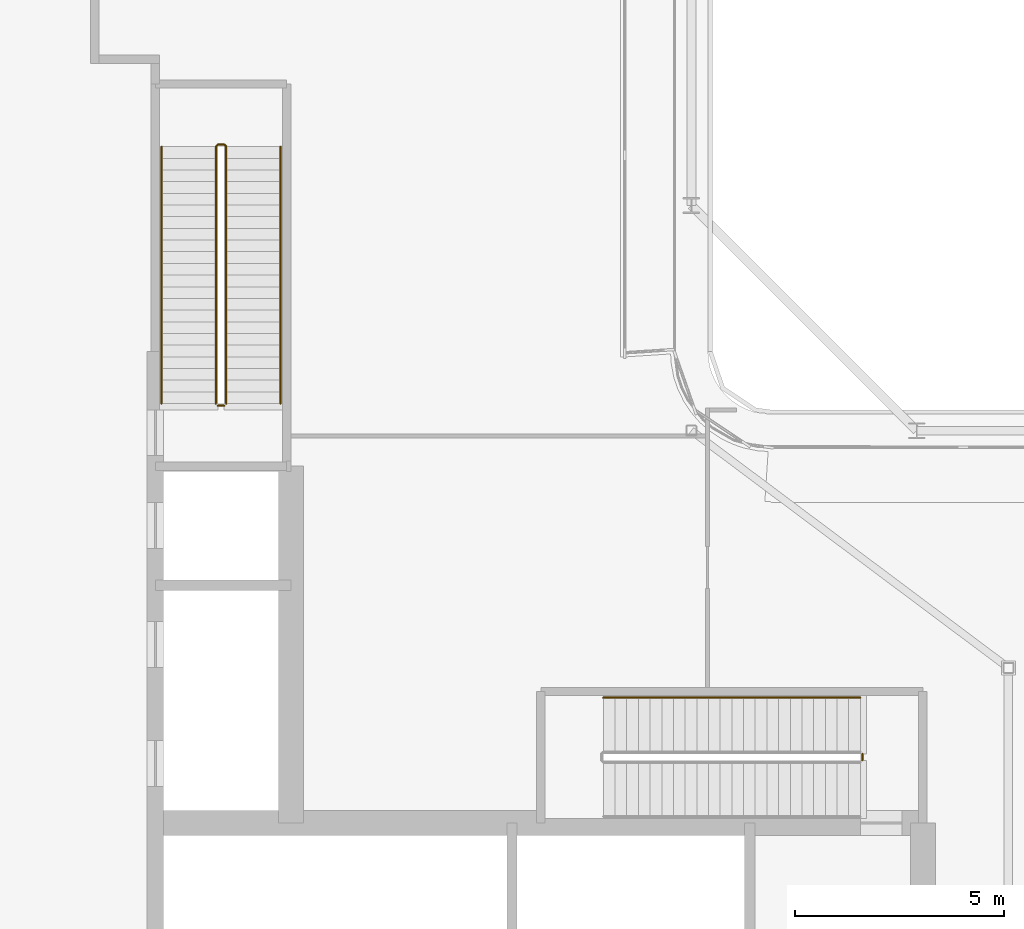
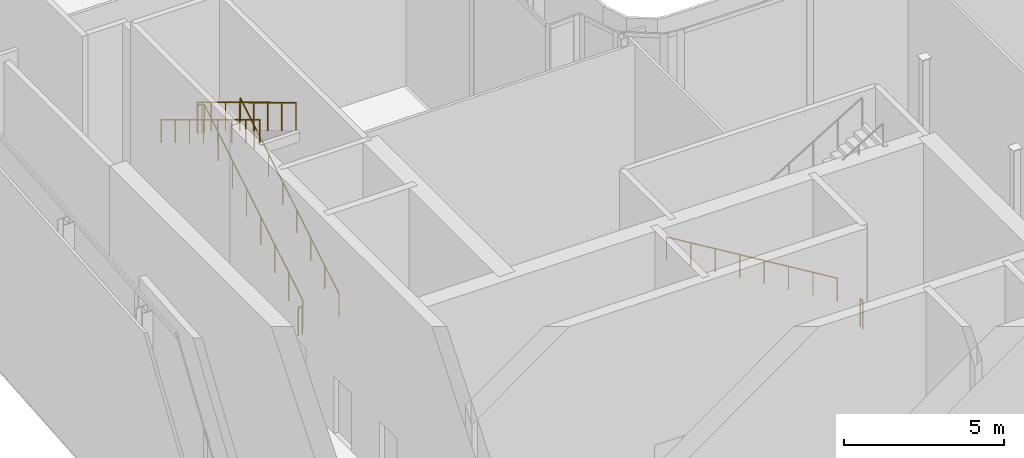
# One storey, part 26 of 28: 6 railings.
"""IFC4 building model written with IfcOpenShell, lengths in metres."""

from ifc_helpers import new_model, si_unit, direction, frame, origin, origin_2d, place, context, subcontext, project, spatial, circle, extrude, material, type_object, element, save


model = new_model("IFC4")

# Units and contexts
model_context = context("Model", 3, precision=1e-05, world=origin(), true_north=direction((0.0, 1.0)))
body_context = subcontext(model_context, "Body", "Model", "MODEL_VIEW")
ifc_project = project(units=[si_unit("LENGTHUNIT", "METRE"), si_unit("AREAUNIT", "SQUARE_METRE"), si_unit("VOLUMEUNIT", "CUBIC_METRE"), si_unit("PLANEANGLEUNIT", "RADIAN"), si_unit("MASSUNIT", "GRAM", prefix="KILO")], contexts=[model_context])

# Site, building, storey
site_placement = place(None, origin())
site = spatial("IfcSite", under=ifc_project, at=site_placement, CompositionType="ELEMENT")
building_placement = place(site_placement, origin())
building = spatial("IfcBuilding", under=site, at=building_placement, Name="Kheshtan School and Residences Tower", CompositionType="ELEMENT")
storey_placement = place(building_placement, frame((0.0, 0.0, 325.39990234375)))
storey = spatial("IfcBuildingStorey", under=building, at=storey_placement, Name="L77", CompositionType="ELEMENT", Elevation=325.39990234375)

# Railings
ifc_material_1 = material(Name="Stainless steel balustrade", Category="steel")
railing_type_1 = type_object("IfcRailingType", Name="Stair guard 1100", PredefinedType="GUARDRAIL", material=ifc_material_1)
railing_1_placement = place(storey_placement, frame((51.699951171875, 37.85009765625, 0.0)))
element("IfcRailing", 1, at=railing_1_placement, inside=storey, type_object=railing_type_1, Name="L77 ST1 stair guard 2", PredefinedType="GUARDRAIL", context=body_context, shape_type="SweptSolid", body=[
    extrude(circle(Radius=0.02392578125, at=origin_2d()), frame((0.0, 0.0, 1.076171875), z_axis=(0.0, -1.0, 0.0), x_axis=(1.0, 0.0, 0.0)), (0.0, 0.0, 1.0), 0.150146484375),
    extrude(circle(Radius=0.02099609375, at=origin_2d()), origin(), (0.0, 0.0, 1.0), 1.052001953125),
    extrude(circle(Radius=0.02099609375, at=origin_2d()), frame((0.0, -0.150146484375, 0.0)), (0.0, 0.0, 1.0), 1.052001953125),
])
railing_2_placement = place(storey_placement, frame((36.449951171875, 46.25, 0.169677734375)))
element("IfcRailing", 2, at=railing_2_placement, inside=storey, type_object=railing_type_1, Name="L77 ST2 stair guard 1", PredefinedType="GUARDRAIL", context=body_context, shape_type="SweptSolid", body=[
    extrude(circle(Radius=0.02392578125, at=origin_2d()), frame((0.0, 0.0, 1.076171875), z_axis=(0.0, 0.855370820849, 0.518016176234), x_axis=(-1.0, 0.0, 0.0)), (0.0, 0.0, 1.0), 7.201416015625),
    extrude(circle(Radius=0.02392578125, at=origin_2d()), frame((0.0, 6.159912109375, 4.806640625), z_axis=(-0.707106781187, 0.707106781187, 0.0), x_axis=(-0.707106781187, -0.707106781187, 0.0)), (0.0, 0.0, 1.0), 0.07080078125),
    extrude(circle(Radius=0.02392578125, at=origin_2d()), frame((-0.050048828125, 6.2099609375, 4.806640625), z_axis=(-1.0, 0.0, 0.0), x_axis=(0.0, -1.0, 0.0)), (0.0, 0.0, 1.0), 0.14990234375),
    extrude(circle(Radius=0.02392578125, at=origin_2d()), frame((-0.199951171875, 6.2099609375, 4.806640625), z_axis=(-0.272562526181, -0.272562526181, 0.92272386912), x_axis=(0.707106781187, -0.707106781187, 0.0)), (0.0, 0.0, 1.0), 0.18359375),
    extrude(circle(Radius=0.02392578125, at=origin_2d()), frame((-0.25, 6.159912109375, 4.97607421875), z_axis=(0.0, -0.855370820849, 0.518016176234), x_axis=(1.0, 0.0, 0.0)), (0.0, 0.0, 1.0), 7.201416015625),
    extrude(circle(Radius=0.02099609375, at=origin_2d()), origin(), (0.0, 0.0, 1.0), 1.052001953125),
    extrude(circle(Radius=0.02099609375, at=origin_2d()), frame((0.0, 0.8798828125, 0.532958984375)), (0.0, 0.0, 1.0), 1.052001953125),
    extrude(circle(Radius=0.02099609375, at=origin_2d()), frame((0.0, 1.760009765625, 1.06591796875)), (0.0, 0.0, 1.0), 1.052001953125),
    extrude(circle(Radius=0.02099609375, at=origin_2d()), frame((0.0, 2.639892578125, 1.598876953125)), (0.0, 0.0, 1.0), 1.052001953125),
    extrude(circle(Radius=0.02099609375, at=origin_2d()), frame((0.0, 3.52001953125, 2.131591796875)), (0.0, 0.0, 1.0), 1.052001953125),
    extrude(circle(Radius=0.02099609375, at=origin_2d()), frame((0.0, 4.39990234375, 2.66455078125)), (0.0, 0.0, 1.0), 1.052001953125),
    extrude(circle(Radius=0.02099609375, at=origin_2d()), frame((0.0, 5.280029296875, 3.197509765625)), (0.0, 0.0, 1.0), 1.052001953125),
    extrude(circle(Radius=0.02099609375, at=origin_2d()), frame((0.0, 6.159912109375, 3.73046875)), (0.0, 0.0, 1.0), 1.052001953125),
    extrude(circle(Radius=0.02099609375, at=origin_2d()), frame((-0.050048828125, 6.2099609375, 3.73046875)), (0.0, 0.0, 1.0), 1.052001953125),
    extrude(circle(Radius=0.02099609375, at=origin_2d()), frame((-0.199951171875, 6.2099609375, 3.73046875)), (0.0, 0.0, 1.0), 1.052001953125),
    extrude(circle(Radius=0.02099609375, at=origin_2d()), frame((-0.25, 6.159912109375, 3.89990234375)), (0.0, 0.0, 1.0), 1.052001953125),
    extrude(circle(Radius=0.02099609375, at=origin_2d()), frame((-0.25, 5.280029296875, 4.432861328125)), (0.0, 0.0, 1.0), 1.052001953125),
    extrude(circle(Radius=0.02099609375, at=origin_2d()), frame((-0.25, 4.39990234375, 4.9658203125)), (0.0, 0.0, 1.0), 1.052001953125),
    extrude(circle(Radius=0.02099609375, at=origin_2d()), frame((-0.25, 3.52001953125, 5.498779296875)), (0.0, 0.0, 1.0), 1.052001953125),
    extrude(circle(Radius=0.02099609375, at=origin_2d()), frame((-0.25, 2.639892578125, 6.031494140625)), (0.0, 0.0, 1.0), 1.052001953125),
    extrude(circle(Radius=0.02099609375, at=origin_2d()), frame((-0.25, 1.760009765625, 6.564453125)), (0.0, 0.0, 1.0), 1.052001953125),
    extrude(circle(Radius=0.02099609375, at=origin_2d()), frame((-0.25, 0.8798828125, 7.097412109375)), (0.0, 0.0, 1.0), 1.052001953125),
    extrude(circle(Radius=0.02099609375, at=origin_2d()), frame((-0.25, 0.0, 7.63037109375)), (0.0, 0.0, 1.0), 1.052001953125),
])
railing_3_placement = place(storey_placement, frame((36.39990234375, 46.199951171875, 0.0)))
element("IfcRailing", 3, at=railing_3_placement, inside=storey, type_object=railing_type_1, Name="L77 ST2 stair guard 2", PredefinedType="GUARDRAIL", context=body_context, shape_type="SweptSolid", body=[
    extrude(circle(Radius=0.02392578125, at=origin_2d()), frame((0.0, 0.0, 1.076171875), z_axis=(-1.0, 0.0, 0.0), x_axis=(0.0, -1.0, 0.0)), (0.0, 0.0, 1.0), 0.14990234375),
    extrude(circle(Radius=0.02099609375, at=origin_2d()), origin(), (0.0, 0.0, 1.0), 1.052001953125),
    extrude(circle(Radius=0.02099609375, at=origin_2d()), frame((-0.14990234375, 0.0, 0.0)), (0.0, 0.0, 1.0), 1.052001953125),
])
ifc_material_2 = material(Name="Stainless steel handrail", Category="steel")
railing_type_2 = type_object("IfcRailingType", Name="Stair handrail 900", PredefinedType="HANDRAIL", material=ifc_material_2)
railing_4_placement = place(storey_placement, frame((51.64990234375, 39.199951171875, 0.169677734375)))
element("IfcRailing", 4, at=railing_4_placement, inside=storey, type_object=railing_type_2, Name="L77 ST1 stair handrail 1", PredefinedType="HANDRAIL", context=body_context, shape_type="SweptSolid", body=[
    extrude(circle(Radius=0.02392578125, at=origin_2d()), frame((0.0, 0.0, 0.8759765625), z_axis=(-0.855370820849, 0.0, 0.518016176234), x_axis=(0.0, -1.0, 0.0)), (0.0, 0.0, 1.0), 7.201416015625),
    extrude(circle(Radius=0.02099609375, at=origin_2d()), origin(), (0.0, 0.0, 1.0), 0.851806640625),
    extrude(circle(Radius=0.02099609375, at=origin_2d()), frame((-0.8798828125, 0.0, 0.532958984375)), (0.0, 0.0, 1.0), 0.851806640625),
    extrude(circle(Radius=0.02099609375, at=origin_2d()), frame((-1.760009765625, 0.0, 1.06591796875)), (0.0, 0.0, 1.0), 0.851806640625),
    extrude(circle(Radius=0.02099609375, at=origin_2d()), frame((-2.639892578125, 0.0, 1.598876953125)), (0.0, 0.0, 1.0), 0.851806640625),
    extrude(circle(Radius=0.02099609375, at=origin_2d()), frame((-3.52001953125, 0.0, 2.131591796875)), (0.0, 0.0, 1.0), 0.851806640625),
    extrude(circle(Radius=0.02099609375, at=origin_2d()), frame((-4.39990234375, 0.0, 2.66455078125)), (0.0, 0.0, 1.0), 0.851806640625),
    extrude(circle(Radius=0.02099609375, at=origin_2d()), frame((-5.280029296875, 0.0, 3.197509765625)), (0.0, 0.0, 1.0), 0.851806640625),
    extrude(circle(Radius=0.02099609375, at=origin_2d()), frame((-6.159912109375, 0.0, 3.73046875)), (0.0, 0.0, 1.0), 0.851806640625),
])
railing_5_placement = place(storey_placement, frame((37.75, 46.25, 0.169677734375)))
element("IfcRailing", 5, at=railing_5_placement, inside=storey, type_object=railing_type_2, Name="L77 ST2 stair handrail 1", PredefinedType="HANDRAIL", context=body_context, shape_type="SweptSolid", body=[
    extrude(circle(Radius=0.02392578125, at=origin_2d()), frame((0.0, 0.0, 0.8759765625), z_axis=(0.0, 0.855370820849, 0.518016176234), x_axis=(-1.0, 0.0, 0.0)), (0.0, 0.0, 1.0), 7.201416015625),
    extrude(circle(Radius=0.02099609375, at=origin_2d()), origin(), (0.0, 0.0, 1.0), 0.851806640625),
    extrude(circle(Radius=0.02099609375, at=origin_2d()), frame((0.0, 0.8798828125, 0.532958984375)), (0.0, 0.0, 1.0), 0.851806640625),
    extrude(circle(Radius=0.02099609375, at=origin_2d()), frame((0.0, 1.760009765625, 1.06591796875)), (0.0, 0.0, 1.0), 0.851806640625),
    extrude(circle(Radius=0.02099609375, at=origin_2d()), frame((0.0, 2.639892578125, 1.598876953125)), (0.0, 0.0, 1.0), 0.851806640625),
    extrude(circle(Radius=0.02099609375, at=origin_2d()), frame((0.0, 3.52001953125, 2.131591796875)), (0.0, 0.0, 1.0), 0.851806640625),
    extrude(circle(Radius=0.02099609375, at=origin_2d()), frame((0.0, 4.39990234375, 2.66455078125)), (0.0, 0.0, 1.0), 0.851806640625),
    extrude(circle(Radius=0.02099609375, at=origin_2d()), frame((0.0, 5.280029296875, 3.197509765625)), (0.0, 0.0, 1.0), 0.851806640625),
    extrude(circle(Radius=0.02099609375, at=origin_2d()), frame((0.0, 6.159912109375, 3.73046875)), (0.0, 0.0, 1.0), 0.851806640625),
])
railing_6_placement = place(storey_placement, frame((34.89990234375, 52.409912109375, 4.069580078125)))
element("IfcRailing", 6, at=railing_6_placement, inside=storey, type_object=railing_type_2, Name="L77 ST2 stair handrail 2", PredefinedType="HANDRAIL", context=body_context, shape_type="SweptSolid", body=[
    extrude(circle(Radius=0.02392578125, at=origin_2d()), frame((0.0, 0.0, 0.8759765625), z_axis=(0.0, -0.855370820849, 0.518016176234), x_axis=(1.0, 0.0, 0.0)), (0.0, 0.0, 1.0), 7.201416015625),
    extrude(circle(Radius=0.02099609375, at=origin_2d()), origin(), (0.0, 0.0, 1.0), 0.851806640625),
    extrude(circle(Radius=0.02099609375, at=origin_2d()), frame((0.0, -0.8798828125, 0.532958984375)), (0.0, 0.0, 1.0), 0.851806640625),
    extrude(circle(Radius=0.02099609375, at=origin_2d()), frame((0.0, -1.760009765625, 1.06591796875)), (0.0, 0.0, 1.0), 0.851806640625),
    extrude(circle(Radius=0.02099609375, at=origin_2d()), frame((0.0, -2.639892578125, 1.598876953125)), (0.0, 0.0, 1.0), 0.851806640625),
    extrude(circle(Radius=0.02099609375, at=origin_2d()), frame((0.0, -3.52001953125, 2.131591796875)), (0.0, 0.0, 1.0), 0.851806640625),
    extrude(circle(Radius=0.02099609375, at=origin_2d()), frame((0.0, -4.39990234375, 2.66455078125)), (0.0, 0.0, 1.0), 0.851806640625),
    extrude(circle(Radius=0.02099609375, at=origin_2d()), frame((0.0, -5.280029296875, 3.197509765625)), (0.0, 0.0, 1.0), 0.851806640625),
    extrude(circle(Radius=0.02099609375, at=origin_2d()), frame((0.0, -6.159912109375, 3.73046875)), (0.0, 0.0, 1.0), 0.851806640625),
])

save(model, "model.ifc")
